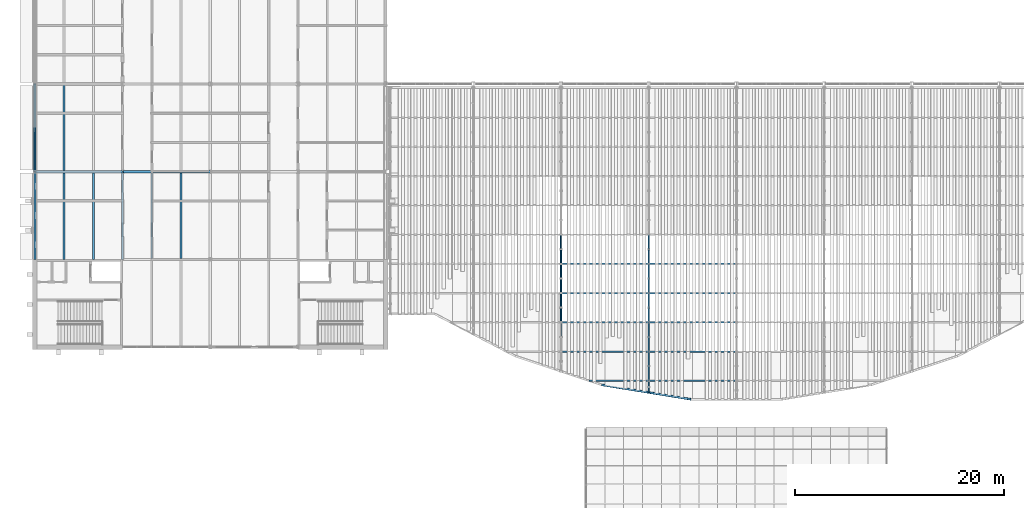
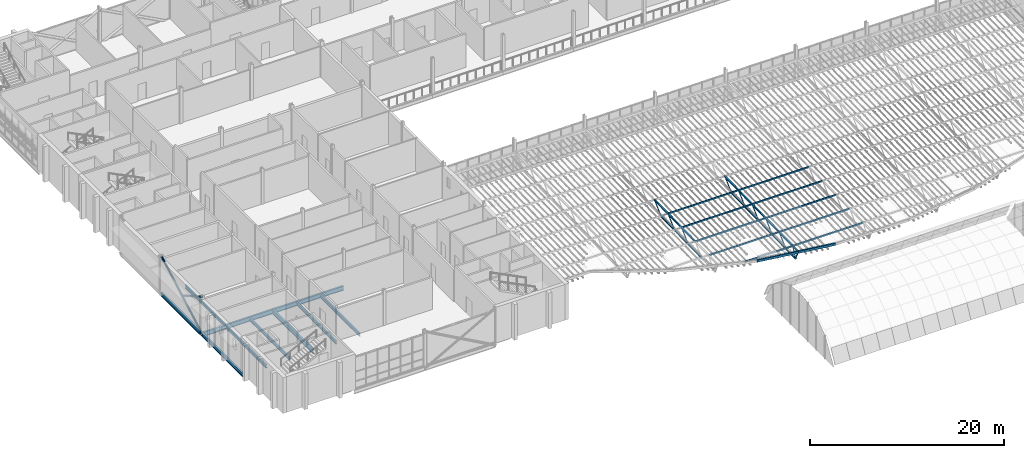
# One storey, part 15 of 129: 47 members, 12 beams.
"""IFC4 building model written with IfcOpenShell, lengths in metres."""

import ifcopenshell
import ifcopenshell.guid

model = None  # the IFC model being written
_history = None  # IfcOwnerHistory: only IFC2X3 demands one
_inside = {}  # id of a spatial element -> (the spatial element, [elements in it])
_under = {}  # id of a project, library or spatial element -> (it, [spatial elements below it])
_declared = {}  # id of a project -> (the project, [libraries it declares])
_typed = {}  # id of a type object -> (the type object, [elements of that type])
_made_of = {}  # id of a material, layer set ... -> (it, [elements and type objects made of it])


def new_model(schema):
    """Start an empty IFC model of exactly this schema.

    Asked for "IFC4X3", IfcOpenShell would pick the latest addendum, in which some entities
    have other attributes; the version numbers below select the first issue.
    IFC2X3 requires an IfcOwnerHistory on every rooted entity: one is made here for all.
    """
    global model, _history
    if schema == "IFC4X3":
        model = ifcopenshell.file(schema_version=(4, 3, 0, 0))
    else:
        model = ifcopenshell.file(schema=schema)
    _inside.clear()
    _under.clear()
    _declared.clear()
    _typed.clear()
    _made_of.clear()
    _history = None
    if model.schema == "IFC2X3":
        org = make("IfcOrganization", Name="unknown")
        user = make(
            "IfcPersonAndOrganization",
            ThePerson=make("IfcPerson", FamilyName="unknown"),
            TheOrganization=org,
        )
        app = make(
            "IfcApplication",
            ApplicationDeveloper=org,
            Version="unknown",
            ApplicationFullName="unknown",
            ApplicationIdentifier="unknown",
        )
        _history = make(
            "IfcOwnerHistory",
            OwningUser=user,
            OwningApplication=app,
            ChangeAction="ADDED",
            CreationDate=0,
        )
    return model


def make(cls, **values):
    """One entity of the class cls with the attributes given. An attribute that is None is left unset."""
    return model.create_entity(
        cls, **{name: value for name, value in values.items() if value is not None}
    )


def rooted(cls, **values):
    """An entity with a GlobalId (a new one), such as an element, a storey or a relation."""
    return make(cls, GlobalId=ifcopenshell.guid.new(), OwnerHistory=_history, **values)


def si_unit(unit_type, name, prefix=None):
    """IfcSIUnit, for example si_unit("LENGTHUNIT", "METRE", prefix="MILLI")."""
    return make("IfcSIUnit", UnitType=unit_type, Prefix=prefix, Name=name)


def assignment(units):
    """IfcUnitAssignment: the units of a project."""
    return None if units is None else make("IfcUnitAssignment", Units=units)


def point(xyz):
    """IfcCartesianPoint."""
    return None if xyz is None else make("IfcCartesianPoint", Coordinates=xyz)


def direction(xyz):
    """IfcDirection."""
    return None if xyz is None else make("IfcDirection", DirectionRatios=xyz)


def frame(location, z_axis=None, x_axis=None):
    """IfcAxis2Placement3D, a coordinate frame: its origin and axes. An axis left out is left unset."""
    return make(
        "IfcAxis2Placement3D",
        Location=point(location),
        Axis=direction(z_axis),
        RefDirection=direction(x_axis),
    )


def frame_2d(location, x_axis=None):
    """IfcAxis2Placement2D, a coordinate frame in the plane: its origin and x axis."""
    return make(
        "IfcAxis2Placement2D", Location=point(location), RefDirection=direction(x_axis)
    )


def origin():
    """The frame at (0, 0, 0) with its axes left unset."""
    return frame((0.0, 0.0, 0.0))


def origin_2d():
    """The frame at (0, 0) in the plane with its x axis left unset."""
    return frame_2d((0.0, 0.0))


def place(relative_to, where):
    """IfcLocalPlacement: puts the frame where relative to a parent placement (None: the world)."""
    return make(
        "IfcLocalPlacement", PlacementRelTo=relative_to, RelativePlacement=where
    )


def context(
    kind, dimensions, precision=None, world=None, true_north=None, identifier=None
):
    """IfcGeometricRepresentationContext, for example the 3D "Model" context."""
    return make(
        "IfcGeometricRepresentationContext",
        ContextIdentifier=identifier,
        ContextType=kind,
        CoordinateSpaceDimension=dimensions,
        Precision=precision,
        WorldCoordinateSystem=world,
        TrueNorth=true_north,
    )


def subcontext(parent, identifier, kind, view, scale=None):
    """IfcGeometricRepresentationSubContext, for example "Body" below "Model"."""
    return make(
        "IfcGeometricRepresentationSubContext",
        ContextIdentifier=identifier,
        ContextType=kind,
        ParentContext=parent,
        TargetScale=scale,
        TargetView=view,
    )


def project(units=None, contexts=None):
    """IfcProject with its units and contexts."""
    return rooted(
        "IfcProject",
        Name="project",
        RepresentationContexts=contexts,
        UnitsInContext=assignment(units),
    )


def spatial(cls, under=None, at=None, **own):
    """A site, building, storey or space (cls), placed at a placement, below another one or the project."""
    s = rooted(cls, ObjectPlacement=at, **own)
    if under is not None:
        _under.setdefault(under.id(), (under, []))[1].append(s)
    return s


def profile(cls, at=None, kind="AREA", **sizes):
    """A parametric profile (cls). Its sizes go by their IFC names, for example OverallWidth=200.0."""
    return make(cls, ProfileType=kind, Position=at, **sizes)


def hollow_rectangle(**sizes):
    """IfcRectangleHollowProfileDef."""
    return profile("IfcRectangleHollowProfileDef", **sizes)


def hollow_circle(**sizes):
    """IfcCircleHollowProfileDef."""
    return profile("IfcCircleHollowProfileDef", **sizes)


def i_section(**sizes):
    """IfcIShapeProfileDef."""
    return profile("IfcIShapeProfileDef", **sizes)


def extrude(swept, where, along, depth):
    """IfcExtrudedAreaSolid: the profile swept, set in the frame where, extruded along a direction by depth."""
    return make(
        "IfcExtrudedAreaSolid",
        SweptArea=swept,
        Position=where,
        ExtrudedDirection=direction(along),
        Depth=depth,
    )


def shape(context_of_items, identifier, shape_type, items):
    """IfcShapeRepresentation: the items that make up one representation, for example the "Body"."""
    return make(
        "IfcShapeRepresentation",
        ContextOfItems=context_of_items,
        RepresentationIdentifier=identifier,
        RepresentationType=shape_type,
        Items=items,
    )


def material(Name=None, Category=None):
    """IfcMaterial."""
    return make("IfcMaterial", Name=Name, Category=Category)


def material_profile(
    of_material, cross_section, Name=None, Category=None, Priority=None
):
    """IfcMaterialProfile: a cross section and its material."""
    return make(
        "IfcMaterialProfile",
        Name=Name,
        Material=of_material,
        Profile=cross_section,
        Priority=Priority,
        Category=Category,
    )


def profile_set(profiles, Name=None, composite=None):
    """IfcMaterialProfileSet."""
    return make(
        "IfcMaterialProfileSet",
        Name=Name,
        MaterialProfiles=profiles,
        CompositeProfile=composite,
    )


def made_of(thing, what):
    """Note that an element or type object is made of a material, layer set ...; save() writes the relation."""
    if what is not None:
        _made_of.setdefault(what.id(), (what, []))[1].append(thing)
    return thing


def type_object(cls, material=None, **own):
    """A type object (cls), such as IfcWallType, which elements share."""
    return made_of(rooted(cls, **own), material)


def element(
    cls,
    number,
    at=None,
    inside=None,
    cuts=None,
    type_object=None,
    material=None,
    context=None,
    identifier="Body",
    shape_type=None,
    held_by="IfcProductDefinitionShape",
    body=None,
    shapes=None,
    **own,
):
    """One element of the class cls, such as IfcWall. Its Tag is "e" and its number.

    at: its placement. inside: the storey or other place that contains it. cuts: it is an
    opening in that element (IfcRelVoidsElement). A single representation is given by context,
    identifier, shape_type and body (its items); several are given by shapes. held_by: the class
    of the entity that holds the representations. save() writes the other relations.
    """
    e = rooted(cls, Tag="e%d" % number, ObjectPlacement=at, **own)
    if body is not None:
        shapes = [shape(context, identifier, shape_type, body)]
    if shapes is not None:
        e.Representation = make(held_by, Representations=shapes)
    if inside is not None:
        _inside.setdefault(inside.id(), (inside, []))[1].append(e)
    if cuts is not None:
        rooted(
            "IfcRelVoidsElement", RelatingBuildingElement=cuts, RelatedOpeningElement=e
        )
    if type_object is not None:
        _typed.setdefault(type_object.id(), (type_object, []))[1].append(e)
    return made_of(e, material)


def aggregate(whole, parts):
    """IfcRelAggregates: a whole, such as a stair, and the parts it consists of."""
    return rooted("IfcRelAggregates", RelatingObject=whole, RelatedObjects=parts)


def save(model, path):
    """Write the relations noted so far, then the file.

    IfcRelAggregates (storeys below a building ...), IfcRelContainedInSpatialStructure (elements
    in a storey), IfcRelDefinesByType, IfcRelAssociatesMaterial and IfcRelDeclares: one each for
    every whole, place, type object, material and project.
    """
    for whole, parts in _under.values():
        aggregate(whole, parts)
    for where, things in _inside.values():
        rooted(
            "IfcRelContainedInSpatialStructure",
            RelatedElements=things,
            RelatingStructure=where,
        )
    for kind, things in _typed.values():
        rooted("IfcRelDefinesByType", RelatedObjects=things, RelatingType=kind)
    for what, things in _made_of.values():
        rooted("IfcRelAssociatesMaterial", RelatedObjects=things, RelatingMaterial=what)
    for by, libraries in _declared.values():
        rooted("IfcRelDeclares", RelatingContext=by, RelatedDefinitions=libraries)
    model.write(path)


model = new_model("IFC4")

# Units and contexts
model_context = context("Model", 3, precision=1e-05, world=origin(), true_north=direction((0.0, 1.0)))
body_context = subcontext(model_context, "Body", "Model", "MODEL_VIEW")
ifc_project = project(units=[si_unit("LENGTHUNIT", "METRE"), si_unit("AREAUNIT", "SQUARE_METRE"), si_unit("VOLUMEUNIT", "CUBIC_METRE"), si_unit("PLANEANGLEUNIT", "RADIAN"), si_unit("MASSUNIT", "GRAM", prefix="KILO")], contexts=[model_context])

# Site, building, storey
site_placement = place(None, origin())
site = spatial("IfcSite", under=ifc_project, at=site_placement, CompositionType="ELEMENT")
building_placement = place(site_placement, origin())
building = spatial("IfcBuilding", under=site, at=building_placement, Name="Ardhachandra Cancer Care Centre", CompositionType="ELEMENT")
storey_placement = place(building_placement, frame((0.0, 0.0, 4.5)))
storey = spatial("IfcBuildingStorey", under=building, at=storey_placement, Name="L01", CompositionType="ELEMENT", Elevation=4.5)

# Beams
ifc_material_1 = material(Name="Steel E350 (IS 2062)", Category="steel")
ifc_material_profile_1 = material_profile(ifc_material_1, i_section(OverallWidth=0.179931640625, OverallDepth=0.39990234375, WebThickness=0.008544921875, FlangeThickness=0.013427734375, FilletRadius=0.02099609375, at=origin_2d()), Name="NPB 400x180x66.30")
ifc_profile_set_1 = profile_set([ifc_material_profile_1], Name="Steel E350 (IS 2062)")
beam_type_1 = type_object("IfcBeamType", Name="Beam NPB 400x180x66.30", PredefinedType="BEAM", material=ifc_profile_set_1)
beam_1_placement = place(storey_placement, frame((13.60009765625, 37.800048828125, -0.35009765625), z_axis=(0.0, 1.0, 0.0), x_axis=(-1.0, 0.0, 0.0)))
element("IfcBeam", 1, at=beam_1_placement, inside=storey, type_object=beam_type_1, Name="Secondary D1-E1@2800", PredefinedType="BEAM", context=body_context, shape_type="SweptSolid", body=[
    extrude(i_section(OverallWidth=0.179931640625, OverallDepth=0.39990234375, WebThickness=0.008544921875, FlangeThickness=0.013427734375, FilletRadius=0.02099609375, at=origin_2d()), origin(), (0.0, 0.0, 1.0), 8.294921875),
])
beam_2_placement = place(storey_placement, frame((13.60009765625, 46.304931640625, -0.35009765625), z_axis=(0.0, 1.0, 0.0), x_axis=(-1.0, 0.0, 0.0)))
element("IfcBeam", 2, at=beam_2_placement, inside=storey, type_object=beam_type_1, Name="Secondary E1-F1@2800", PredefinedType="BEAM", context=body_context, shape_type="SweptSolid", body=[
    extrude(i_section(OverallWidth=0.179931640625, OverallDepth=0.39990234375, WebThickness=0.008544921875, FlangeThickness=0.013427734375, FilletRadius=0.02099609375, at=origin_2d()), origin(), (0.0, 0.0, 1.0), 8.190185546875),
])
beam_3_placement = place(storey_placement, frame((16.39990234375, 37.800048828125, -0.35009765625), z_axis=(0.0, 1.0, 0.0), x_axis=(-1.0, 0.0, 0.0)))
element("IfcBeam", 3, at=beam_3_placement, inside=storey, type_object=beam_type_1, Name="Secondary D1-E1@5600", PredefinedType="BEAM", context=body_context, shape_type="SweptSolid", body=[
    extrude(i_section(OverallWidth=0.179931640625, OverallDepth=0.39990234375, WebThickness=0.008544921875, FlangeThickness=0.013427734375, FilletRadius=0.02099609375, at=origin_2d()), origin(), (0.0, 0.0, 1.0), 8.294921875),
])
for number, where, z_axis, x_axis, name in (
    (4, (22.0, 37.905029296875, -0.35009765625), (0.0, 1.0, 0.0), (-1.0, 0.0, 0.0), "Secondary D2-E2@2800"),
    (5, (24.800048828125, 37.905029296875, -0.35009765625), (0.0, 1.0, 0.0), (-1.0, 0.0, 0.0), "Secondary D2-E2@5600"),
):
    element("IfcBeam", number, at=place(storey_placement, frame(where, z_axis=z_axis, x_axis=x_axis)), inside=storey, type_object=beam_type_1, Name=name, PredefinedType="BEAM", context=body_context, shape_type="SweptSolid", body=[
        extrude(i_section(OverallWidth=0.179931640625, OverallDepth=0.39990234375, WebThickness=0.008544921875, FlangeThickness=0.013427734375, FilletRadius=0.02099609375, at=origin_2d()), origin(), (0.0, 0.0, 1.0), 8.18994140625),
    ])
ifc_material_2 = material(Name="Steel E350 (IS 2062)", Category="steel")
ifc_material_profile_2 = material_profile(ifc_material_2, i_section(OverallWidth=0.199951171875, OverallDepth=0.5, WebThickness=0.01025390625, FlangeThickness=0.01611328125, FilletRadius=0.02099609375, at=origin_2d()), Name="NPB 500x200x90.68")
ifc_profile_set_2 = profile_set([ifc_material_profile_2], Name="Steel E350 (IS 2062)")
beam_type_2 = type_object("IfcBeamType", Name="Beam NPB 500x200x90.68", PredefinedType="BEAM", material=ifc_profile_set_2)
beam_4_placement = place(storey_placement, frame((10.800048828125, 37.800048828125, -0.39990234375), z_axis=(0.0, 1.0, 0.0), x_axis=(-1.0, 0.0, 0.0)))
element("IfcBeam", 6, at=beam_4_placement, inside=storey, type_object=beam_type_2, Name="Edge girder D1-E1", PredefinedType="BEAM", context=body_context, shape_type="SweptSolid", body=[
    extrude(i_section(OverallWidth=0.199951171875, OverallDepth=0.5, WebThickness=0.01025390625, FlangeThickness=0.01611328125, FilletRadius=0.02099609375, at=origin_2d()), origin(), (0.0, 0.0, 1.0), 8.39990234375),
])
beam_5_placement = place(storey_placement, frame((10.800048828125, 46.199951171875, -0.39990234375), z_axis=(0.0, 1.0, 0.0), x_axis=(-1.0, 0.0, 0.0)))
element("IfcBeam", 7, at=beam_5_placement, inside=storey, type_object=beam_type_2, Name="Edge girder E1-F1", PredefinedType="BEAM", context=body_context, shape_type="SweptSolid", body=[
    extrude(i_section(OverallWidth=0.199951171875, OverallDepth=0.5, WebThickness=0.01025390625, FlangeThickness=0.01611328125, FilletRadius=0.02099609375, at=origin_2d()), origin(), (0.0, 0.0, 1.0), 8.400146484375),
])
ifc_material_3 = material(Name="Steel E350 (IS 2062)", Category="steel")
ifc_material_profile_3 = material_profile(ifc_material_3, i_section(OverallWidth=0.2099609375, OverallDepth=0.550048828125, WebThickness=0.010986328125, FlangeThickness=0.01708984375, FilletRadius=0.02392578125, at=origin_2d()), Name="NPB 550x210x105.52")
ifc_profile_set_3 = profile_set([ifc_material_profile_3], Name="Steel E350 (IS 2062)")
beam_type_3 = type_object("IfcBeamType", Name="Beam NPB 550x210x105.52", PredefinedType="BEAM", material=ifc_profile_set_3)
beam_6_placement = place(storey_placement, frame((10.800048828125, 46.199951171875, -0.425048828125), z_axis=(1.0, 0.0, 0.0), x_axis=(0.0, 1.0, 0.0)))
element("IfcBeam", 8, at=beam_6_placement, inside=storey, type_object=beam_type_3, Name="Girder E1-E2", PredefinedType="BEAM", context=body_context, shape_type="SweptSolid", body=[
    extrude(i_section(OverallWidth=0.2099609375, OverallDepth=0.550048828125, WebThickness=0.010986328125, FlangeThickness=0.01708984375, FilletRadius=0.02392578125, at=origin_2d()), origin(), (0.0, 0.0, 1.0), 8.39990234375),
])
beam_7_placement = place(storey_placement, frame((19.199951171875, 46.199951171875, -0.425048828125), z_axis=(1.0, 0.0, 0.0), x_axis=(0.0, 1.0, 0.0)))
element("IfcBeam", 9, at=beam_7_placement, inside=storey, type_object=beam_type_3, Name="Girder E2-E3", PredefinedType="BEAM", context=body_context, shape_type="SweptSolid", body=[
    extrude(i_section(OverallWidth=0.2099609375, OverallDepth=0.550048828125, WebThickness=0.010986328125, FlangeThickness=0.01708984375, FilletRadius=0.02392578125, at=origin_2d()), origin(), (0.0, 0.0, 1.0), 8.400146484375),
])
beam_8_placement = place(storey_placement, frame((19.199951171875, 37.800048828125, -0.425048828125), z_axis=(0.0, 1.0, 0.0), x_axis=(-1.0, 0.0, 0.0)))
element("IfcBeam", 10, at=beam_8_placement, inside=storey, type_object=beam_type_3, Name="Girder D2-E2", PredefinedType="BEAM", context=body_context, shape_type="SweptSolid", body=[
    extrude(i_section(OverallWidth=0.2099609375, OverallDepth=0.550048828125, WebThickness=0.010986328125, FlangeThickness=0.01708984375, FilletRadius=0.02392578125, at=origin_2d()), origin(), (0.0, 0.0, 1.0), 8.39990234375),
])

# Members
ifc_material_4 = material(Name="Steel E350 (IS 2062)", Category="steel")
ifc_material_profile_4 = material_profile(ifc_material_4, hollow_circle(Radius=0.122314453125, WallThickness=0.010009765625, at=origin_2d()), Name="CHS 244.5x10.0")
ifc_profile_set_4 = profile_set([ifc_material_profile_4], Name="Steel E350 (IS 2062)")
member_type_1 = type_object("IfcMemberType", Name="Brace CHS 244.5x10.0", PredefinedType="BRACE", material=ifc_profile_set_4)
member_1_placement = place(storey_placement, frame((10.800048828125, 46.199951171875, -0.39990234375), z_axis=(0.0, 0.872688907094, 0.488276634128), x_axis=(-1.0, 0.0, 0.0)))
element("IfcMember", 11, at=member_1_placement, inside=storey, type_object=member_type_1, Name="Brace V2-Y108-462 L01 A", PredefinedType="BRACE", context=body_context, shape_type="SweptSolid", body=[
    extrude(hollow_circle(Radius=0.122314453125, WallThickness=0.010009765625, at=origin_2d()), origin(), (0.0, 0.0, 1.0), 9.62548828125),
])
member_2_placement = place(storey_placement, frame((10.800048828125, 50.39990234375, 1.949951171875), z_axis=(0.0, -0.872672051527, 0.488306758589), x_axis=(1.0, 0.0, 0.0)))
element("IfcMember", 12, at=member_2_placement, inside=storey, type_object=member_type_1, Name="Brace V2-Y108-462 L01 B2", PredefinedType="BRACE", context=body_context, shape_type="SweptSolid", body=[
    extrude(hollow_circle(Radius=0.122314453125, WallThickness=0.010009765625, at=origin_2d()), origin(), (0.0, 0.0, 1.0), 4.812744140625),
])
ifc_material_5 = material(Name="Steel E350 (IS 2062)", Category="steel")
ifc_material_profile_5 = material_profile(ifc_material_5, hollow_rectangle(XDim=0.10009765625, YDim=0.199951171875, WallThickness=0.006103515625, InnerFilletRadius=0.006103515625, OuterFilletRadius=0.011962890625, at=origin_2d()), Name="RHS 200x100x6.0")
ifc_profile_set_5 = profile_set([ifc_material_profile_5], Name="Steel E350 (IS 2062)")
member_type_2 = type_object("IfcMemberType", Name="Canopy purlin RHS 200x100x6.0", PredefinedType="PURLIN", material=ifc_profile_set_5)
member_3_placement = place(storey_placement, frame((61.199951171875, 37.375, 2.507568359375), z_axis=(1.0, 0.0, 0.0), x_axis=(0.0, 1.0, 0.0)))
element("IfcMember", 13, at=member_3_placement, inside=storey, type_object=member_type_2, Name="Canopy purlin 6-3", PredefinedType="PURLIN", context=body_context, shape_type="SweptSolid", body=[
    extrude(hollow_rectangle(XDim=0.10009765625, YDim=0.199951171875, WallThickness=0.006103515625, InnerFilletRadius=0.006103515625, OuterFilletRadius=0.011962890625, at=origin_2d()), origin(), (0.0, 0.0, 1.0), 8.400146484375),
])
member_4_placement = place(storey_placement, frame((69.60009765625, 37.375, 2.507568359375), z_axis=(1.0, 0.0, 0.0), x_axis=(0.0, 1.0, 0.0)))
element("IfcMember", 14, at=member_4_placement, inside=storey, type_object=member_type_2, Name="Canopy purlin 6-4", PredefinedType="PURLIN", context=body_context, shape_type="SweptSolid", body=[
    extrude(hollow_rectangle(XDim=0.10009765625, YDim=0.199951171875, WallThickness=0.006103515625, InnerFilletRadius=0.006103515625, OuterFilletRadius=0.011962890625, at=origin_2d()), origin(), (0.0, 0.0, 1.0), 8.39990234375),
])
member_5_placement = place(storey_placement, frame((61.199951171875, 34.574951171875, 2.451416015625), z_axis=(1.0, 0.0, 0.0), x_axis=(0.0, 1.0, 0.0)))
element("IfcMember", 15, at=member_5_placement, inside=storey, type_object=member_type_2, Name="Canopy purlin 7-3", PredefinedType="PURLIN", context=body_context, shape_type="SweptSolid", body=[
    extrude(hollow_rectangle(XDim=0.10009765625, YDim=0.199951171875, WallThickness=0.006103515625, InnerFilletRadius=0.006103515625, OuterFilletRadius=0.011962890625, at=origin_2d()), origin(), (0.0, 0.0, 1.0), 8.400146484375),
])
member_6_placement = place(storey_placement, frame((69.60009765625, 34.574951171875, 2.451416015625), z_axis=(1.0, 0.0, 0.0), x_axis=(0.0, 1.0, 0.0)))
element("IfcMember", 16, at=member_6_placement, inside=storey, type_object=member_type_2, Name="Canopy purlin 7-4", PredefinedType="PURLIN", context=body_context, shape_type="SweptSolid", body=[
    extrude(hollow_rectangle(XDim=0.10009765625, YDim=0.199951171875, WallThickness=0.006103515625, InnerFilletRadius=0.006103515625, OuterFilletRadius=0.011962890625, at=origin_2d()), origin(), (0.0, 0.0, 1.0), 8.39990234375),
])
member_7_placement = place(storey_placement, frame((61.199951171875, 31.77490234375, 2.3955078125), z_axis=(1.0, 0.0, 0.0), x_axis=(0.0, 1.0, 0.0)))
element("IfcMember", 17, at=member_7_placement, inside=storey, type_object=member_type_2, Name="Canopy purlin 8-3", PredefinedType="PURLIN", context=body_context, shape_type="SweptSolid", body=[
    extrude(hollow_rectangle(XDim=0.10009765625, YDim=0.199951171875, WallThickness=0.006103515625, InnerFilletRadius=0.006103515625, OuterFilletRadius=0.011962890625, at=origin_2d()), origin(), (0.0, 0.0, 1.0), 8.400146484375),
])
member_8_placement = place(storey_placement, frame((69.60009765625, 31.77490234375, 2.3955078125), z_axis=(1.0, 0.0, 0.0), x_axis=(0.0, 1.0, 0.0)))
element("IfcMember", 18, at=member_8_placement, inside=storey, type_object=member_type_2, Name="Canopy purlin 8-4", PredefinedType="PURLIN", context=body_context, shape_type="SweptSolid", body=[
    extrude(hollow_rectangle(XDim=0.10009765625, YDim=0.199951171875, WallThickness=0.006103515625, InnerFilletRadius=0.006103515625, OuterFilletRadius=0.011962890625, at=origin_2d()), origin(), (0.0, 0.0, 1.0), 8.39990234375),
])
member_9_placement = place(storey_placement, frame((61.199951171875, 28.97509765625, 2.339599609375), z_axis=(1.0, 0.0, 0.0), x_axis=(0.0, 1.0, 0.0)))
element("IfcMember", 19, at=member_9_placement, inside=storey, type_object=member_type_2, Name="Canopy purlin 9-3", PredefinedType="PURLIN", context=body_context, shape_type="SweptSolid", body=[
    extrude(hollow_rectangle(XDim=0.10009765625, YDim=0.199951171875, WallThickness=0.006103515625, InnerFilletRadius=0.006103515625, OuterFilletRadius=0.011962890625, at=origin_2d()), origin(), (0.0, 0.0, 1.0), 8.400146484375),
])
member_10_placement = place(storey_placement, frame((69.60009765625, 28.97509765625, 2.339599609375), z_axis=(1.0, 0.0, 0.0), x_axis=(0.0, 1.0, 0.0)))
element("IfcMember", 20, at=member_10_placement, inside=storey, type_object=member_type_2, Name="Canopy purlin 9-4", PredefinedType="PURLIN", context=body_context, shape_type="SweptSolid", body=[
    extrude(hollow_rectangle(XDim=0.10009765625, YDim=0.199951171875, WallThickness=0.006103515625, InnerFilletRadius=0.006103515625, OuterFilletRadius=0.011962890625, at=origin_2d()), origin(), (0.0, 0.0, 1.0), 8.39990234375),
])
member_11_placement = place(storey_placement, frame((63.9091796875, 26.175048828125, 2.283447265625), z_axis=(1.0, 0.0, 0.0), x_axis=(0.0, 1.0, 0.0)))
element("IfcMember", 21, at=member_11_placement, inside=storey, type_object=member_type_2, Name="Canopy purlin 10-3", PredefinedType="PURLIN", context=body_context, shape_type="SweptSolid", body=[
    extrude(hollow_rectangle(XDim=0.10009765625, YDim=0.199951171875, WallThickness=0.006103515625, InnerFilletRadius=0.006103515625, OuterFilletRadius=0.011962890625, at=origin_2d()), origin(), (0.0, 0.0, 1.0), 5.69091796875),
])
member_12_placement = place(storey_placement, frame((69.60009765625, 26.175048828125, 2.283447265625), z_axis=(1.0, 0.0, 0.0), x_axis=(0.0, 1.0, 0.0)))
element("IfcMember", 22, at=member_12_placement, inside=storey, type_object=member_type_2, Name="Canopy purlin 10-4", PredefinedType="PURLIN", context=body_context, shape_type="SweptSolid", body=[
    extrude(hollow_rectangle(XDim=0.10009765625, YDim=0.199951171875, WallThickness=0.006103515625, InnerFilletRadius=0.006103515625, OuterFilletRadius=0.011962890625, at=origin_2d()), origin(), (0.0, 0.0, 1.0), 8.39990234375),
])

# Beams
ifc_material_6 = material(Name="Steel E350 (IS 2062)", Category="steel")
ifc_material_profile_6 = material_profile(ifc_material_6, hollow_rectangle(XDim=0.199951171875, YDim=0.300048828125, WallThickness=0.010009765625, InnerFilletRadius=0.010009765625, OuterFilletRadius=0.02001953125, at=origin_2d()), Name="RHS 300x200x10.0")
ifc_profile_set_6 = profile_set([ifc_material_profile_6], Name="Steel E350 (IS 2062)")
beam_type_4 = type_object("IfcBeamType", Name="Canopy ring and eave beam RHS 300x200x10.0", PredefinedType="BEAM", material=ifc_profile_set_6)
beam_9_placement = place(storey_placement, frame((65.079833984375, 25.78564453125, 2.225830078125), z_axis=(0.987137740135, -0.15984007264, -0.003198934076), x_axis=(0.159840890482, 0.987142790953, 0.0)))
element("IfcBeam", 23, at=beam_9_placement, inside=storey, type_object=beam_type_4, Name="Canopy ring beam 6", PredefinedType="BEAM", context=body_context, shape_type="SweptSolid", body=[
    extrude(hollow_rectangle(XDim=0.199951171875, YDim=0.300048828125, WallThickness=0.010009765625, InnerFilletRadius=0.010009765625, OuterFilletRadius=0.02001953125, at=origin_2d()), origin(), (0.0, 0.0, 1.0), 4.5791015625),
])
beam_10_placement = place(storey_placement, frame((69.60009765625, 25.0537109375, 2.211181640625), z_axis=(0.987130066718, -0.159887264328, -0.003208440087), x_axis=(0.159888087281, 0.987135147559, 0.0)))
element("IfcBeam", 24, at=beam_10_placement, inside=storey, type_object=beam_type_4, Name="Canopy ring beam 7", PredefinedType="BEAM", context=body_context, shape_type="SweptSolid", body=[
    extrude(hollow_rectangle(XDim=0.199951171875, YDim=0.300048828125, WallThickness=0.010009765625, InnerFilletRadius=0.010009765625, OuterFilletRadius=0.02001953125, at=origin_2d()), origin(), (0.0, 0.0, 1.0), 4.109130859375),
])

# Members
ifc_material_7 = material(Name="Steel E350 (IS 2062)", Category="steel")
ifc_material_profile_7 = material_profile(ifc_material_7, hollow_rectangle(XDim=0.14990234375, YDim=0.14990234375, WallThickness=0.006103515625, InnerFilletRadius=0.006103515625, OuterFilletRadius=0.011962890625, at=origin_2d()), Name="SHS 150x150x6.0")
ifc_profile_set_7 = profile_set([ifc_material_profile_7], Name="Steel E350 (IS 2062)")
member_type_3 = type_object("IfcMemberType", Name="Canopy truss bottom chord SHS 150x150x6.0", PredefinedType="CHORD", material=ifc_profile_set_7)
member_13_placement = place(storey_placement, frame((61.199951171875, 38.77490234375, 1.310546875), z_axis=(0.0, -0.999798942946, -0.020051775103), x_axis=(1.0, 0.0, 0.0)))
element("IfcMember", 25, at=member_13_placement, inside=storey, type_object=member_type_3, Name="Canopy truss 3 bottom chord BC17", PredefinedType="CHORD", context=body_context, shape_type="SweptSolid", body=[
    extrude(hollow_rectangle(XDim=0.14990234375, YDim=0.14990234375, WallThickness=0.006103515625, InnerFilletRadius=0.006103515625, OuterFilletRadius=0.011962890625, at=origin_2d()), origin(), (0.0, 0.0, 1.0), 2.80029296875),
])
for number, where, z_axis, x_axis, name in (
    (26, (61.199951171875, 35.97509765625, 1.25439453125), (0.0, -0.999800721691, -0.019962888244), (1.0, 0.0, 0.0), "Canopy truss 3 bottom chord BC18"),
    (27, (61.199951171875, 33.175048828125, 1.198486328125), (0.0, -0.999800721691, -0.019962888244), (1.0, 0.0, 0.0), "Canopy truss 3 bottom chord BC19"),
):
    element("IfcMember", number, at=place(storey_placement, frame(where, z_axis=z_axis, x_axis=x_axis)), inside=storey, type_object=member_type_3, Name=name, PredefinedType="CHORD", context=body_context, shape_type="SweptSolid", body=[
        extrude(hollow_rectangle(XDim=0.14990234375, YDim=0.14990234375, WallThickness=0.006103515625, InnerFilletRadius=0.006103515625, OuterFilletRadius=0.011962890625, at=origin_2d()), origin(), (0.0, 0.0, 1.0), 2.800537109375),
    ])
member_14_placement = place(storey_placement, frame((69.60009765625, 38.77490234375, 1.310546875), z_axis=(0.0, -0.999798942946, -0.020051775103), x_axis=(1.0, 0.0, 0.0)))
element("IfcMember", 28, at=member_14_placement, inside=storey, type_object=member_type_3, Name="Canopy truss 4 bottom chord BC18", PredefinedType="CHORD", context=body_context, shape_type="SweptSolid", body=[
    extrude(hollow_rectangle(XDim=0.14990234375, YDim=0.14990234375, WallThickness=0.006103515625, InnerFilletRadius=0.006103515625, OuterFilletRadius=0.011962890625, at=origin_2d()), origin(), (0.0, 0.0, 1.0), 2.80029296875),
])
for number, where, z_axis, x_axis, name in (
    (29, (69.60009765625, 35.97509765625, 1.25439453125), (0.0, -0.999800721691, -0.019962888244), (1.0, 0.0, 0.0), "Canopy truss 4 bottom chord BC19"),
    (30, (69.60009765625, 33.175048828125, 1.198486328125), (0.0, -0.999800721691, -0.019962888244), (1.0, 0.0, 0.0), "Canopy truss 4 bottom chord BC20"),
    (31, (69.60009765625, 30.375, 1.142578125), (0.0, -0.999798977995, -0.02005002746), (1.0, 0.0, 0.0), "Canopy truss 4 bottom chord BC21"),
):
    element("IfcMember", number, at=place(storey_placement, frame(where, z_axis=z_axis, x_axis=x_axis)), inside=storey, type_object=member_type_3, Name=name, PredefinedType="CHORD", context=body_context, shape_type="SweptSolid", body=[
        extrude(hollow_rectangle(XDim=0.14990234375, YDim=0.14990234375, WallThickness=0.006103515625, InnerFilletRadius=0.006103515625, OuterFilletRadius=0.011962890625, at=origin_2d()), origin(), (0.0, 0.0, 1.0), 2.800537109375),
    ])
member_15_placement = place(storey_placement, frame((69.60009765625, 27.574951171875, 1.08642578125), z_axis=(0.0, -0.999801418057, -0.019927981595), x_axis=(1.0, 0.0, 0.0)))
element("IfcMember", 32, at=member_15_placement, inside=storey, type_object=member_type_3, Name="Canopy truss 4 bottom chord BC22", PredefinedType="CHORD", context=body_context, shape_type="SweptSolid", body=[
    extrude(hollow_rectangle(XDim=0.14990234375, YDim=0.14990234375, WallThickness=0.006103515625, InnerFilletRadius=0.006103515625, OuterFilletRadius=0.011962890625, at=origin_2d()), origin(), (0.0, 0.0, 1.0), 2.00927734375),
])
ifc_material_8 = material(Name="Steel E350 (IS 2062)", Category="steel")
ifc_material_profile_8 = material_profile(ifc_material_8, hollow_circle(Radius=0.05712890625, WallThickness=0.0048828125, at=origin_2d()), Name="CHS 114.3x5.0")
ifc_profile_set_8 = profile_set([ifc_material_profile_8], Name="Steel E350 (IS 2062)")
member_type_4 = type_object("IfcMemberType", Name="Canopy truss diagonal CHS 114.3x5.0", PredefinedType="BRACE", material=ifc_profile_set_8)
member_16_placement = place(storey_placement, frame((61.199951171875, 40.175048828125, 2.573486328125), z_axis=(0.0, -0.742553308775, -0.669786968839), x_axis=(1.0, 0.0, 0.0)))
element("IfcMember", 33, at=member_16_placement, inside=storey, type_object=member_type_4, Name="Canopy truss 3 web diagonal WD32", PredefinedType="BRACE", context=body_context, shape_type="SweptSolid", body=[
    extrude(hollow_circle(Radius=0.05712890625, WallThickness=0.0048828125, at=origin_2d()), origin(), (0.0, 0.0, 1.0), 1.885498046875),
])
member_17_placement = place(storey_placement, frame((61.199951171875, 38.77490234375, 1.310546875), z_axis=(0.0, -0.757351396119, 0.653007551868), x_axis=(1.0, 0.0, 0.0)))
element("IfcMember", 34, at=member_17_placement, inside=storey, type_object=member_type_4, Name="Canopy truss 3 web diagonal WD33", PredefinedType="BRACE", context=body_context, shape_type="SweptSolid", body=[
    extrude(hollow_circle(Radius=0.05712890625, WallThickness=0.0048828125, at=origin_2d()), origin(), (0.0, 0.0, 1.0), 1.848388671875),
])
member_18_placement = place(storey_placement, frame((61.199951171875, 37.375, 2.517578125), z_axis=(0.0, -0.742430813776, -0.669922746857), x_axis=(1.0, 0.0, 0.0)))
element("IfcMember", 35, at=member_18_placement, inside=storey, type_object=member_type_4, Name="Canopy truss 3 web diagonal WD34", PredefinedType="BRACE", context=body_context, shape_type="SweptSolid", body=[
    extrude(hollow_circle(Radius=0.05712890625, WallThickness=0.0048828125, at=origin_2d()), origin(), (0.0, 0.0, 1.0), 1.885498046875),
])
member_19_placement = place(storey_placement, frame((61.199951171875, 35.97509765625, 1.25439453125), z_axis=(0.0, -0.75740770942, 0.65294223459), x_axis=(1.0, 0.0, 0.0)))
element("IfcMember", 36, at=member_19_placement, inside=storey, type_object=member_type_4, Name="Canopy truss 3 web diagonal WD35", PredefinedType="BRACE", context=body_context, shape_type="SweptSolid", body=[
    extrude(hollow_circle(Radius=0.05712890625, WallThickness=0.0048828125, at=origin_2d()), origin(), (0.0, 0.0, 1.0), 1.8486328125),
])
member_20_placement = place(storey_placement, frame((61.199951171875, 34.574951171875, 2.46142578125), z_axis=(0.0, -0.742495214915, -0.669851368461), x_axis=(1.0, 0.0, 0.0)))
element("IfcMember", 37, at=member_20_placement, inside=storey, type_object=member_type_4, Name="Canopy truss 3 web diagonal WD36", PredefinedType="BRACE", context=body_context, shape_type="SweptSolid", body=[
    extrude(hollow_circle(Radius=0.05712890625, WallThickness=0.0048828125, at=origin_2d()), origin(), (0.0, 0.0, 1.0), 1.885498046875),
])
member_21_placement = place(storey_placement, frame((61.199951171875, 33.175048828125, 1.198486328125), z_axis=(0.0, -0.75740770942, 0.65294223459), x_axis=(1.0, 0.0, 0.0)))
element("IfcMember", 38, at=member_21_placement, inside=storey, type_object=member_type_4, Name="Canopy truss 3 web diagonal WD37", PredefinedType="BRACE", context=body_context, shape_type="SweptSolid", body=[
    extrude(hollow_circle(Radius=0.05712890625, WallThickness=0.0048828125, at=origin_2d()), origin(), (0.0, 0.0, 1.0), 1.8486328125),
])
member_22_placement = place(storey_placement, frame((69.60009765625, 40.175048828125, 2.573486328125), z_axis=(0.0, -0.742553308775, -0.669786968839), x_axis=(1.0, 0.0, 0.0)))
element("IfcMember", 39, at=member_22_placement, inside=storey, type_object=member_type_4, Name="Canopy truss 4 web diagonal WD33", PredefinedType="BRACE", context=body_context, shape_type="SweptSolid", body=[
    extrude(hollow_circle(Radius=0.05712890625, WallThickness=0.0048828125, at=origin_2d()), origin(), (0.0, 0.0, 1.0), 1.885498046875),
])
member_23_placement = place(storey_placement, frame((69.60009765625, 38.77490234375, 1.310546875), z_axis=(0.0, -0.757351396119, 0.653007551868), x_axis=(1.0, 0.0, 0.0)))
element("IfcMember", 40, at=member_23_placement, inside=storey, type_object=member_type_4, Name="Canopy truss 4 web diagonal WD34", PredefinedType="BRACE", context=body_context, shape_type="SweptSolid", body=[
    extrude(hollow_circle(Radius=0.05712890625, WallThickness=0.0048828125, at=origin_2d()), origin(), (0.0, 0.0, 1.0), 1.848388671875),
])
member_24_placement = place(storey_placement, frame((69.60009765625, 37.375, 2.517578125), z_axis=(0.0, -0.742430813776, -0.669922746857), x_axis=(1.0, 0.0, 0.0)))
element("IfcMember", 41, at=member_24_placement, inside=storey, type_object=member_type_4, Name="Canopy truss 4 web diagonal WD35", PredefinedType="BRACE", context=body_context, shape_type="SweptSolid", body=[
    extrude(hollow_circle(Radius=0.05712890625, WallThickness=0.0048828125, at=origin_2d()), origin(), (0.0, 0.0, 1.0), 1.885498046875),
])
member_25_placement = place(storey_placement, frame((69.60009765625, 35.97509765625, 1.25439453125), z_axis=(0.0, -0.75740770942, 0.65294223459), x_axis=(1.0, 0.0, 0.0)))
element("IfcMember", 42, at=member_25_placement, inside=storey, type_object=member_type_4, Name="Canopy truss 4 web diagonal WD36", PredefinedType="BRACE", context=body_context, shape_type="SweptSolid", body=[
    extrude(hollow_circle(Radius=0.05712890625, WallThickness=0.0048828125, at=origin_2d()), origin(), (0.0, 0.0, 1.0), 1.8486328125),
])
member_26_placement = place(storey_placement, frame((69.60009765625, 34.574951171875, 2.46142578125), z_axis=(0.0, -0.742495214915, -0.669851368461), x_axis=(1.0, 0.0, 0.0)))
element("IfcMember", 43, at=member_26_placement, inside=storey, type_object=member_type_4, Name="Canopy truss 4 web diagonal WD37", PredefinedType="BRACE", context=body_context, shape_type="SweptSolid", body=[
    extrude(hollow_circle(Radius=0.05712890625, WallThickness=0.0048828125, at=origin_2d()), origin(), (0.0, 0.0, 1.0), 1.885498046875),
])
member_27_placement = place(storey_placement, frame((69.60009765625, 33.175048828125, 1.198486328125), z_axis=(0.0, -0.75740770942, 0.65294223459), x_axis=(1.0, 0.0, 0.0)))
element("IfcMember", 44, at=member_27_placement, inside=storey, type_object=member_type_4, Name="Canopy truss 4 web diagonal WD38", PredefinedType="BRACE", context=body_context, shape_type="SweptSolid", body=[
    extrude(hollow_circle(Radius=0.05712890625, WallThickness=0.0048828125, at=origin_2d()), origin(), (0.0, 0.0, 1.0), 1.8486328125),
])
member_28_placement = place(storey_placement, frame((69.60009765625, 31.77490234375, 2.405517578125), z_axis=(0.0, -0.742495214915, -0.669851368461), x_axis=(1.0, 0.0, 0.0)))
element("IfcMember", 45, at=member_28_placement, inside=storey, type_object=member_type_4, Name="Canopy truss 4 web diagonal WD39", PredefinedType="BRACE", context=body_context, shape_type="SweptSolid", body=[
    extrude(hollow_circle(Radius=0.05712890625, WallThickness=0.0048828125, at=origin_2d()), origin(), (0.0, 0.0, 1.0), 1.885498046875),
])
member_29_placement = place(storey_placement, frame((69.60009765625, 30.375, 1.142578125), z_axis=(0.0, -0.757351396119, 0.653007551868), x_axis=(1.0, 0.0, 0.0)))
element("IfcMember", 46, at=member_29_placement, inside=storey, type_object=member_type_4, Name="Canopy truss 4 web diagonal WD40", PredefinedType="BRACE", context=body_context, shape_type="SweptSolid", body=[
    extrude(hollow_circle(Radius=0.05712890625, WallThickness=0.0048828125, at=origin_2d()), origin(), (0.0, 0.0, 1.0), 1.848388671875),
])
member_30_placement = place(storey_placement, frame((69.60009765625, 28.97509765625, 2.349609375), z_axis=(0.0, -0.742488914979, -0.669858351544), x_axis=(1.0, 0.0, 0.0)))
element("IfcMember", 47, at=member_30_placement, inside=storey, type_object=member_type_4, Name="Canopy truss 4 web diagonal WD41", PredefinedType="BRACE", context=body_context, shape_type="SweptSolid", body=[
    extrude(hollow_circle(Radius=0.05712890625, WallThickness=0.0048828125, at=origin_2d()), origin(), (0.0, 0.0, 1.0), 1.8857421875),
])
member_31_placement = place(storey_placement, frame((69.60009765625, 27.574951171875, 1.08642578125), z_axis=(0.0, -0.757351396119, 0.653007551868), x_axis=(1.0, 0.0, 0.0)))
element("IfcMember", 48, at=member_31_placement, inside=storey, type_object=member_type_4, Name="Canopy truss 4 web diagonal WD42", PredefinedType="BRACE", context=body_context, shape_type="SweptSolid", body=[
    extrude(hollow_circle(Radius=0.05712890625, WallThickness=0.0048828125, at=origin_2d()), origin(), (0.0, 0.0, 1.0), 1.848388671875),
])
member_32_placement = place(storey_placement, frame((69.60009765625, 26.175048828125, 2.29345703125), z_axis=(0.0, -0.438749409701, -0.898609456598), x_axis=(1.0, 0.0, 0.0)))
element("IfcMember", 49, at=member_32_placement, inside=storey, type_object=member_type_4, Name="Canopy truss 4 web diagonal WD43", PredefinedType="BRACE", context=body_context, shape_type="SweptSolid", body=[
    extrude(hollow_circle(Radius=0.05712890625, WallThickness=0.0048828125, at=origin_2d()), origin(), (0.0, 0.0, 1.0), 1.3876953125),
])
ifc_material_9 = material(Name="Steel E350 (IS 2062)", Category="steel")
ifc_material_profile_9 = material_profile(ifc_material_9, hollow_circle(Radius=0.04443359375, WallThickness=0.00390625, at=origin_2d()), Name="CHS 88.9x4.0")
ifc_profile_set_9 = profile_set([ifc_material_profile_9], Name="Steel E350 (IS 2062)")
member_type_5 = type_object("IfcMemberType", Name="Canopy truss post CHS 88.9x4.0", PredefinedType="POST", material=ifc_profile_set_9)
member_33_placement = place(storey_placement, frame((69.60009765625, 25.0537109375, 2.27099609375), z_axis=(0.0, 0.386025268454, -0.922488207033), x_axis=(-1.0, 0.0, 0.0)))
element("IfcMember", 50, at=member_33_placement, inside=storey, type_object=member_type_5, Name="Canopy truss 4 web vertical WV45", PredefinedType="POST", context=body_context, shape_type="SweptSolid", body=[
    extrude(hollow_circle(Radius=0.04443359375, WallThickness=0.00390625, at=origin_2d()), origin(), (0.0, 0.0, 1.0), 1.327392578125),
])
ifc_material_10 = material(Name="Steel E350 (IS 2062)", Category="steel")
ifc_material_profile_10 = material_profile(ifc_material_10, hollow_rectangle(XDim=0.179931640625, YDim=0.179931640625, WallThickness=0.008056640625, InnerFilletRadius=0.008056640625, OuterFilletRadius=0.01611328125, at=origin_2d()), Name="SHS 180x180x8.0")
ifc_profile_set_10 = profile_set([ifc_material_profile_10], Name="Steel E350 (IS 2062)")
member_type_6 = type_object("IfcMemberType", Name="Canopy truss top chord SHS 180x180x8.0", PredefinedType="CHORD", material=ifc_profile_set_10)
for number, where, z_axis, x_axis, name in (
    (51, (61.199951171875, 40.175048828125, 2.573486328125), (0.0, -0.999800721691, -0.019962888244), (1.0, 0.0, 0.0), "Canopy truss 3 top chord TC6"),
    (52, (61.199951171875, 37.375, 2.517578125), (0.0, -0.999798977995, -0.02005002746), (1.0, 0.0, 0.0), "Canopy truss 3 top chord TC7"),
    (53, (61.199951171875, 34.574951171875, 2.46142578125), (0.0, -0.999800721691, -0.019962888244), (1.0, 0.0, 0.0), "Canopy truss 3 top chord TC8"),
    (54, (69.60009765625, 40.175048828125, 2.573486328125), (0.0, -0.999800721691, -0.019962888244), (1.0, 0.0, 0.0), "Canopy truss 4 top chord TC6"),
    (55, (69.60009765625, 37.375, 2.517578125), (0.0, -0.999798977995, -0.02005002746), (1.0, 0.0, 0.0), "Canopy truss 4 top chord TC7"),
    (56, (69.60009765625, 34.574951171875, 2.46142578125), (0.0, -0.999800721691, -0.019962888244), (1.0, 0.0, 0.0), "Canopy truss 4 top chord TC8"),
):
    element("IfcMember", number, at=place(storey_placement, frame(where, z_axis=z_axis, x_axis=x_axis)), inside=storey, type_object=member_type_6, Name=name, PredefinedType="CHORD", context=body_context, shape_type="SweptSolid", body=[
        extrude(hollow_rectangle(XDim=0.179931640625, YDim=0.179931640625, WallThickness=0.008056640625, InnerFilletRadius=0.008056640625, OuterFilletRadius=0.01611328125, at=origin_2d()), origin(), (0.0, 0.0, 1.0), 2.800537109375),
    ])
member_34_placement = place(storey_placement, frame((69.60009765625, 31.77490234375, 2.405517578125), z_axis=(0.0, -0.999800686946, -0.019964628297), x_axis=(1.0, 0.0, 0.0)))
element("IfcMember", 57, at=member_34_placement, inside=storey, type_object=member_type_6, Name="Canopy truss 4 top chord TC9", PredefinedType="CHORD", context=body_context, shape_type="SweptSolid", body=[
    extrude(hollow_rectangle(XDim=0.179931640625, YDim=0.179931640625, WallThickness=0.008056640625, InnerFilletRadius=0.008056640625, OuterFilletRadius=0.01611328125, at=origin_2d()), origin(), (0.0, 0.0, 1.0), 2.80029296875),
])
member_35_placement = place(storey_placement, frame((69.60009765625, 28.97509765625, 2.349609375), z_axis=(0.0, -0.999798977995, -0.02005002746), x_axis=(1.0, 0.0, 0.0)))
element("IfcMember", 58, at=member_35_placement, inside=storey, type_object=member_type_6, Name="Canopy truss 4 top chord TC10", PredefinedType="CHORD", context=body_context, shape_type="SweptSolid", body=[
    extrude(hollow_rectangle(XDim=0.179931640625, YDim=0.179931640625, WallThickness=0.008056640625, InnerFilletRadius=0.008056640625, OuterFilletRadius=0.01611328125, at=origin_2d()), origin(), (0.0, 0.0, 1.0), 2.800537109375),
])
member_36_placement = place(storey_placement, frame((69.60009765625, 26.175048828125, 2.29345703125), z_axis=(0.0, -0.999799450259, -0.020026464059), x_axis=(1.0, 0.0, 0.0)))
element("IfcMember", 59, at=member_36_placement, inside=storey, type_object=member_type_6, Name="Canopy truss 4 top chord TC11", PredefinedType="CHORD", context=body_context, shape_type="SweptSolid", body=[
    extrude(hollow_rectangle(XDim=0.179931640625, YDim=0.179931640625, WallThickness=0.008056640625, InnerFilletRadius=0.008056640625, OuterFilletRadius=0.01611328125, at=origin_2d()), origin(), (0.0, 0.0, 1.0), 1.12158203125),
])

save(model, "model.ifc")
